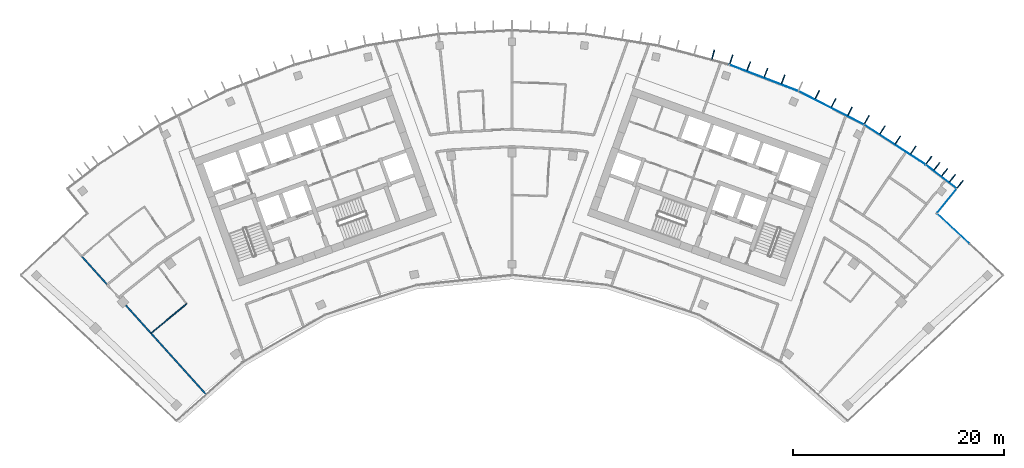
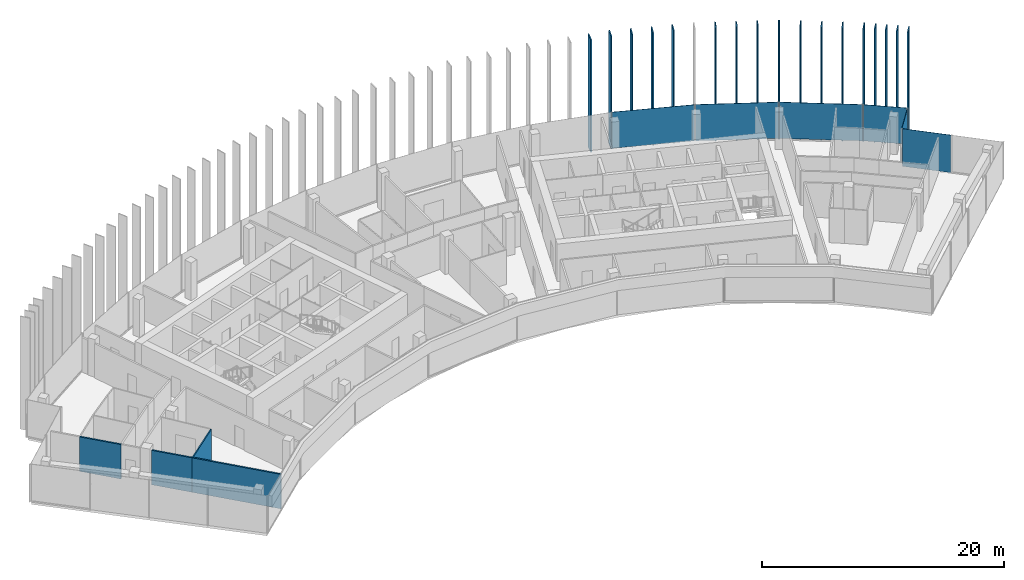
# One storey, part 12 of 19: 23 plates, 4 walls, 3 elements without a shape of their own.
"""IFC4 building model written with IfcOpenShell, lengths in metres."""

from ifc_helpers import new_model, si_unit, direction, frame, frame_2d, origin, origin_2d, place, context, subcontext, project, spatial, rectangle, extrude, material, layer, layer_set, type_object, element, aggregate, save


model = new_model("IFC4")

# Units and contexts
model_context = context("Model", 3, precision=1e-05, world=origin(), true_north=direction((0.0, 1.0)))
body_context = subcontext(model_context, "Body", "Model", "MODEL_VIEW")
ifc_project = project(units=[si_unit("LENGTHUNIT", "METRE"), si_unit("AREAUNIT", "SQUARE_METRE"), si_unit("VOLUMEUNIT", "CUBIC_METRE"), si_unit("PLANEANGLEUNIT", "RADIAN"), si_unit("MASSUNIT", "GRAM", prefix="KILO")], contexts=[model_context])

# Site, building, storey
site_placement = place(None, origin())
site = spatial("IfcSite", under=ifc_project, at=site_placement, CompositionType="ELEMENT")
building_placement = place(site_placement, origin())
building = spatial("IfcBuilding", under=site, at=building_placement, Name="Stone Belt Terrace Tower", CompositionType="ELEMENT")
storey_placement = place(building_placement, frame((0.0, 0.0, 292.199951171875)))
storey = spatial("IfcBuildingStorey", under=building, at=storey_placement, Name="L71", CompositionType="ELEMENT", Elevation=292.199951171875)

# Curtain wall, plates
ifc_material_1 = material(Name="Aluminium 6063-T6 anodised frame", Category="aluminium")
ifc_layer_1 = layer(ifc_material_1, 0.14990234375)
ifc_layer_set_1 = layer_set([ifc_layer_1], Name="CW-A unitised convex-face curtain wall")
curtain_wall_type_1 = type_object("IfcCurtainWallType", Name="CW-A unitised convex-face curtain wall", PredefinedType="NOTDEFINED", material=ifc_layer_set_1)
curtain_wall_1_placement = place(storey_placement, origin())
curtain_wall_1 = element("IfcCurtainWall", 1, at=curtain_wall_1_placement, inside=storey, type_object=curtain_wall_type_1, Name="CW-A convex face L71", PredefinedType="NOTDEFINED")
ifc_material_2 = material(Name="Clear double glazed unit")
ifc_layer_2 = layer(ifc_material_2, 0.031982421875)
ifc_layer_set_2 = layer_set([ifc_layer_2], Name="CW-A glass panel 32")
plate_type_1 = type_object("IfcPlateType", Name="CW-A glass panel 32", PredefinedType="CURTAIN_PANEL", material=ifc_layer_set_2)
plate_1_placement = place(storey_placement, frame((40.583251953125, 52.744140625, 0.14013671875), z_axis=(0.0, 0.0, 1.0), x_axis=(-0.792693871824, 0.60961990254, 0.0)))
plate_1 = element("IfcPlate", 2, at=plate_1_placement, type_object=plate_type_1, Name="CW-A panel 1.1", PredefinedType="CURTAIN_PANEL", context=body_context, shape_type="SweptSolid", body=[
    extrude(rectangle(XDim=3.597900390625, YDim=0.031982421875, at=origin_2d()), origin(), (0.0, 0.0, 1.0), 3.659912109375),
])
plate_2_placement = place(storey_placement, frame((36.209716796875, 55.758056640625, 0.14013671875), z_axis=(0.0, 0.0, 1.0), x_axis=(-0.838670567945, 0.544639035015, 0.0)))
plate_2 = element("IfcPlate", 3, at=plate_2_placement, type_object=plate_type_1, Name="CW-A panel 2.1", PredefinedType="CURTAIN_PANEL", context=body_context, shape_type="SweptSolid", body=[
    extrude(rectangle(XDim=6.900634765625, YDim=0.031982421875, at=origin_2d()), origin(), (0.0, 0.0, 1.0), 3.659912109375),
])
plate_3_placement = place(storey_placement, frame((30.18310546875, 59.237548828125, 0.14013671875), z_axis=(0.0, 0.0, 1.0), x_axis=(-0.891006524188, 0.45399049974, 0.0)))
plate_3 = element("IfcPlate", 4, at=plate_3_placement, type_object=plate_type_1, Name="CW-A panel 3.1", PredefinedType="CURTAIN_PANEL", context=body_context, shape_type="SweptSolid", body=[
    extrude(rectangle(XDim=6.90087890625, YDim=0.031982421875, at=origin_2d()), origin(), (0.0, 0.0, 1.0), 3.659912109375),
])
plate_4_placement = place(storey_placement, frame((23.82568359375, 62.068115234375, 0.14013671875), z_axis=(0.0, 0.0, 1.0), x_axis=(-0.933580426497, 0.358367949545, 0.0)))
plate_4 = element("IfcPlate", 5, at=plate_4_placement, type_object=plate_type_1, Name="CW-A panel 4.1", PredefinedType="CURTAIN_PANEL", context=body_context, shape_type="SweptSolid", body=[
    extrude(rectangle(XDim=6.90087890625, YDim=0.031982421875, at=origin_2d()), origin(), (0.0, 0.0, 1.0), 3.659912109375),
])
aggregate(curtain_wall_1, [plate_1, plate_2, plate_3, plate_4])

# Curtain wall, plate
ifc_layer_3 = layer(ifc_material_1, 0.14990234375)
ifc_layer_set_3 = layer_set([ifc_layer_3], Name="CW-C stick curtain wall, horn ends and notches")
curtain_wall_type_2 = type_object("IfcCurtainWallType", Name="CW-C stick curtain wall, horn ends and notches", PredefinedType="NOTDEFINED", material=ifc_layer_set_3)
curtain_wall_2_placement = place(storey_placement, origin())
curtain_wall_2 = element("IfcCurtainWall", 6, at=curtain_wall_2_placement, inside=storey, type_object=curtain_wall_type_2, Name="CW-C notch face L71", PredefinedType="NOTDEFINED")
ifc_layer_4 = layer(ifc_material_2, 0.028076171875)
ifc_layer_set_4 = layer_set([ifc_layer_4], Name="CW-C glass panel 28")
plate_type_2 = type_object("IfcPlateType", Name="CW-C glass panel 28", PredefinedType="CURTAIN_PANEL", material=ifc_layer_set_4)
plate_5_placement = place(storey_placement, frame((41.731201171875, 47.814208984375, 0.0), z_axis=(0.0, 0.0, 1.0), x_axis=(-0.731339333871, 0.682013767261, 0.0)))
plate_5 = element("IfcPlate", 7, at=plate_5_placement, type_object=plate_type_2, Name="CW-C panel 2.1", PredefinedType="CURTAIN_PANEL", context=body_context, shape_type="SweptSolid", body=[
    extrude(rectangle(XDim=4.12060546875, YDim=0.028076171875, at=origin_2d()), origin(), (0.0, 0.0, 1.0), 3.800048828125),
])
aggregate(curtain_wall_2, [plate_5])

curtain_wall_3_placement = place(storey_placement, origin())
curtain_wall_3 = element("IfcCurtainWall", 8, at=curtain_wall_3_placement, inside=storey, type_object=curtain_wall_type_2, Name="CW-C notch face L71", PredefinedType="NOTDEFINED")
plate_6_placement = place(storey_placement, frame((41.119140625, 50.43505859375, 0.1201171875), z_axis=(0.0, 0.0, 1.0), x_axis=(0.631001485542, 0.775781622136, 0.0)))
plate_6 = element("IfcPlate", 9, at=plate_6_placement, type_object=plate_type_2, Name="CW-C panel 1.1", PredefinedType="CURTAIN_PANEL", context=body_context, shape_type="SweptSolid", body=[
    extrude(rectangle(XDim=2.859130859375, YDim=0.028076171875, at=origin_2d()), origin(), (0.0, 0.0, 1.0), 3.679931640625),
])
aggregate(curtain_wall_3, [plate_6])

# Plates
ifc_material_3 = material(Name="Terracotta coloured glazed ceramic", Category="masonry")
ifc_layer_5 = layer(ifc_material_3, 0.10009765625)
ifc_layer_set_5 = layer_set([ifc_layer_5], Name="Terracotta fin 100 x 900")
plate_type_3 = type_object("IfcPlateType", Name="Terracotta fin 100 x 900", PredefinedType="SHEET", material=ifc_layer_set_5)
for number, where, z_axis, x_axis, name in (
    (10, (42.388427734375, 52.01806640625, 0.0), (0.0, 0.0, 1.0), (0.60961990254, 0.792693871824, 0.0), "FIN L71 1.1"),
    (11, (41.654052734375, 52.582763671875, 0.0), (0.0, 0.0, 1.0), (0.60961990254, 0.792693871824, 0.0), "FIN L71 1.2"),
    (12, (40.919677734375, 53.147705078125, 0.0), (0.0, 0.0, 1.0), (0.60961990254, 0.792693871824, 0.0), "FIN L71 1.3"),
    (13, (40.185546875, 53.71240234375, 0.0), (0.0, 0.0, 1.0), (0.60961990254, 0.792693871824, 0.0), "FIN L71 1.4"),
    (14, (39.434326171875, 54.28955078125, 0.0), (0.0, 0.0, 1.0), (0.577587125789, 0.816329046477, 0.0), "FIN L71 2.1"),
    (15, (37.9560546875, 55.25, 0.0), (0.0, 0.0, 1.0), (0.544639035015, 0.838670567945, 0.0), "FIN L71 2.2"),
    (16, (36.495361328125, 56.19873046875, 0.0), (0.0, 0.0, 1.0), (0.544639035015, 0.838670567945, 0.0), "FIN L71 2.3"),
    (17, (35.034423828125, 57.147216796875, 0.0), (0.0, 0.0, 1.0), (0.544639035015, 0.838670567945, 0.0), "FIN L71 2.4"),
    (18, (33.550048828125, 58.1103515625, 0.0), (0.0, 0.0, 1.0), (0.5, 0.866025403784, 0.0), "FIN L71 3.1"),
    (19, (31.9736328125, 58.914306640625, 0.0), (0.0, 0.0, 1.0), (0.45399049974, 0.891006524188, 0.0), "FIN L71 3.2"),
    (20, (30.42138671875, 59.705322265625, 0.0), (0.0, 0.0, 1.0), (0.45399049974, 0.891006524188, 0.0), "FIN L71 3.3"),
    (21, (28.869140625, 60.496337890625, 0.0), (0.0, 0.0, 1.0), (0.45399049974, 0.891006524188, 0.0), "FIN L71 3.4"),
    (22, (25.64013671875, 61.933837890625, 0.0), (0.0, 0.0, 1.0), (0.358367949545, 0.933580426497, 0.0), "FIN L71 4.2"),
    (23, (24.013916015625, 62.55810546875, 0.0), (0.0, 0.0, 1.0), (0.358367949545, 0.933580426497, 0.0), "FIN L71 4.3"),
    (24, (22.387451171875, 63.182373046875, 0.0), (0.0, 0.0, 1.0), (0.358367949545, 0.933580426497, 0.0), "FIN L71 4.4"),
    (25, (20.735107421875, 63.81591796875, 0.0), (0.0, 0.0, 1.0), (0.309016994375, 0.951056516295, 0.0), "FIN L71 5.1"),
    (26, (19.02587890625, 64.274658203125, 0.0), (0.0, 0.0, 1.0), (0.258819045103, 0.965925826289, 0.0), "FIN L71 5.2"),
):
    element("IfcPlate", number, at=place(storey_placement, frame(where, z_axis=z_axis, x_axis=x_axis)), inside=storey, type_object=plate_type_3, Name=name, PredefinedType="SHEET", context=body_context, shape_type="SweptSolid", body=[
        extrude(rectangle(XDim=0.89990234375, YDim=0.10009765625, at=origin_2d()), origin(), (0.0, 0.0, 1.0), 11.39990234375),
    ])

# Walls
ifc_material_4 = material(Name="Gypsum board partition")
ifc_layer_6 = layer(ifc_material_4, 0.10009765625)
ifc_layer_set_6 = layer_set([ifc_layer_6], Name="PARTITION 100")
wall_type_1 = type_object("IfcWallType", Name="PARTITION 100", PredefinedType="PARTITIONING", material=ifc_layer_set_6)
wall_1_placement = place(storey_placement, frame((-34.14501953125, 37.922119140625, 0.0), z_axis=(0.0, 0.0, 1.0), x_axis=(0.771132114818, 0.636675161677, 0.0)))
element("IfcWall", 27, at=wall_1_placement, inside=storey, type_object=wall_type_1, Name="L71/wall/i047", PredefinedType="PARTITIONING", context=body_context, shape_type="SweptSolid", body=[
    extrude(rectangle(XDim=4.374267578125, YDim=0.10009765625, at=frame_2d((2.18701171875, 0.0))), origin(), (0.0, 0.0, 1.0), 3.47998046875),
])
ifc_layer_7 = layer(ifc_material_4, 0.14990234375)
ifc_layer_set_7 = layer_set([ifc_layer_7], Name="PARTITION 150 EI 60")
wall_type_2 = type_object("IfcWallType", Name="PARTITION 150 EI 60", PredefinedType="PARTITIONING", material=ifc_layer_set_7)
wall_2_placement = place(storey_placement, frame((-34.14892578125, 37.926025390625, 0.0), z_axis=(0.0, 0.0, 1.0), x_axis=(0.669079914284, -0.743190465696, 0.0)))
element("IfcWall", 28, at=wall_2_placement, inside=storey, type_object=wall_type_2, Name="L71/wall/i036", PredefinedType="PARTITIONING", context=body_context, shape_type="SweptSolid", body=[
    extrude(rectangle(XDim=7.728271484375, YDim=0.14990234375, at=frame_2d((3.8642578125, 0.0))), origin(), (0.0, 0.0, 1.0), 3.47998046875),
])
wall_3_placement = place(storey_placement, frame((-36.514892578125, 40.552978515625, 0.0), z_axis=(0.0, 0.0, 1.0), x_axis=(0.669029382877, -0.743235955029, 0.0)))
element("IfcWall", 29, at=wall_3_placement, inside=storey, type_object=wall_type_2, Name="L71/wall/i037", PredefinedType="PARTITIONING", context=body_context, shape_type="SweptSolid", body=[
    extrude(rectangle(XDim=3.546630859375, YDim=0.14990234375, at=frame_2d((1.7734375, 0.0))), origin(), (0.0, 0.0, 1.0), 3.47998046875),
])
wall_4_placement = place(storey_placement, frame((-40.701904296875, 45.202880859375, 0.0), z_axis=(0.0, 0.0, 1.0), x_axis=(0.669132906802, -0.743142754142, 0.0)))
element("IfcWall", 30, at=wall_4_placement, inside=storey, type_object=wall_type_2, Name="L71/wall/i039", PredefinedType="PARTITIONING", context=body_context, shape_type="SweptSolid", body=[
    extrude(rectangle(XDim=3.60888671875, YDim=0.14990234375, at=frame_2d((1.804443359375, 0.0))), origin(), (0.0, 0.0, 1.0), 3.47998046875),
])

save(model, "model.ifc")
